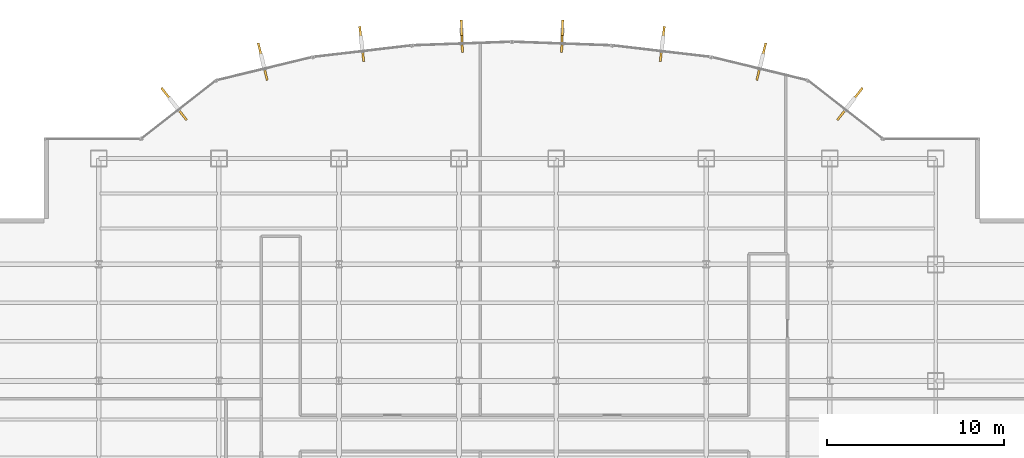
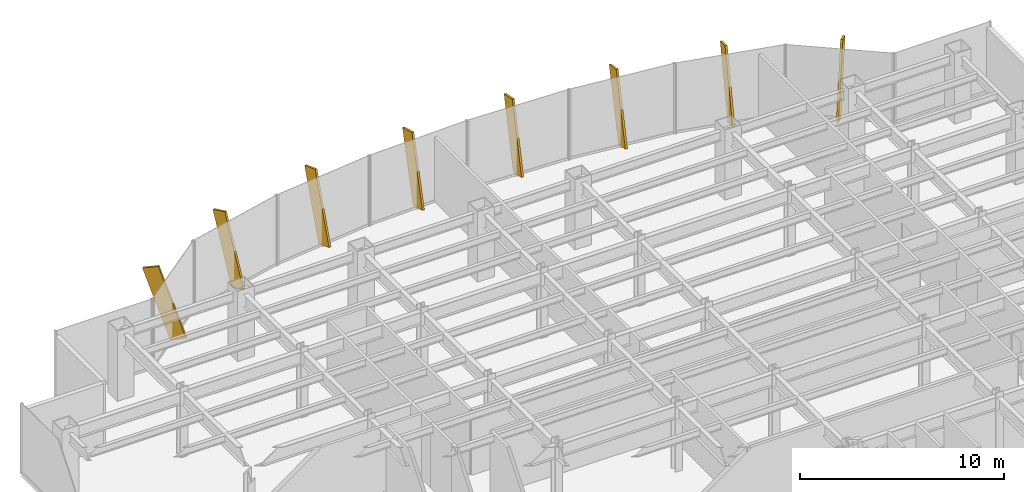
# One storey, part 33 of 35: 8 shading devices.
"""IFC4 building model written with IfcOpenShell, lengths in metres."""

import ifcopenshell
import ifcopenshell.guid

model = None  # the IFC model being written
_history = None  # IfcOwnerHistory: only IFC2X3 demands one
_inside = {}  # id of a spatial element -> (the spatial element, [elements in it])
_under = {}  # id of a project, library or spatial element -> (it, [spatial elements below it])
_declared = {}  # id of a project -> (the project, [libraries it declares])
_typed = {}  # id of a type object -> (the type object, [elements of that type])
_made_of = {}  # id of a material, layer set ... -> (it, [elements and type objects made of it])


def new_model(schema):
    """Start an empty IFC model of exactly this schema.

    Asked for "IFC4X3", IfcOpenShell would pick the latest addendum, in which some entities
    have other attributes; the version numbers below select the first issue.
    IFC2X3 requires an IfcOwnerHistory on every rooted entity: one is made here for all.
    """
    global model, _history
    if schema == "IFC4X3":
        model = ifcopenshell.file(schema_version=(4, 3, 0, 0))
    else:
        model = ifcopenshell.file(schema=schema)
    _inside.clear()
    _under.clear()
    _declared.clear()
    _typed.clear()
    _made_of.clear()
    _history = None
    if model.schema == "IFC2X3":
        org = make("IfcOrganization", Name="unknown")
        user = make(
            "IfcPersonAndOrganization",
            ThePerson=make("IfcPerson", FamilyName="unknown"),
            TheOrganization=org,
        )
        app = make(
            "IfcApplication",
            ApplicationDeveloper=org,
            Version="unknown",
            ApplicationFullName="unknown",
            ApplicationIdentifier="unknown",
        )
        _history = make(
            "IfcOwnerHistory",
            OwningUser=user,
            OwningApplication=app,
            ChangeAction="ADDED",
            CreationDate=0,
        )
    return model


def make(cls, **values):
    """One entity of the class cls with the attributes given. An attribute that is None is left unset."""
    return model.create_entity(
        cls, **{name: value for name, value in values.items() if value is not None}
    )


def rooted(cls, **values):
    """An entity with a GlobalId (a new one), such as an element, a storey or a relation."""
    return make(cls, GlobalId=ifcopenshell.guid.new(), OwnerHistory=_history, **values)


def si_unit(unit_type, name, prefix=None):
    """IfcSIUnit, for example si_unit("LENGTHUNIT", "METRE", prefix="MILLI")."""
    return make("IfcSIUnit", UnitType=unit_type, Prefix=prefix, Name=name)


def derived_unit(unit_type, elements):
    """IfcDerivedUnit: a product of units, each with its exponent."""
    return make(
        "IfcDerivedUnit",
        Elements=[
            make("IfcDerivedUnitElement", Unit=unit, Exponent=power)
            for unit, power in elements
        ],
        UnitType=unit_type,
    )


def assignment(units):
    """IfcUnitAssignment: the units of a project."""
    return None if units is None else make("IfcUnitAssignment", Units=units)


def point(xyz):
    """IfcCartesianPoint."""
    return None if xyz is None else make("IfcCartesianPoint", Coordinates=xyz)


def direction(xyz):
    """IfcDirection."""
    return None if xyz is None else make("IfcDirection", DirectionRatios=xyz)


def frame(location, z_axis=None, x_axis=None):
    """IfcAxis2Placement3D, a coordinate frame: its origin and axes. An axis left out is left unset."""
    return make(
        "IfcAxis2Placement3D",
        Location=point(location),
        Axis=direction(z_axis),
        RefDirection=direction(x_axis),
    )


def frame_2d(location, x_axis=None):
    """IfcAxis2Placement2D, a coordinate frame in the plane: its origin and x axis."""
    return make(
        "IfcAxis2Placement2D", Location=point(location), RefDirection=direction(x_axis)
    )


def origin():
    """The frame at (0, 0, 0) with its axes left unset."""
    return frame((0.0, 0.0, 0.0))


def origin_2d():
    """The frame at (0, 0) in the plane with its x axis left unset."""
    return frame_2d((0.0, 0.0))


def place(relative_to, where):
    """IfcLocalPlacement: puts the frame where relative to a parent placement (None: the world)."""
    return make(
        "IfcLocalPlacement", PlacementRelTo=relative_to, RelativePlacement=where
    )


def context(
    kind, dimensions, precision=None, world=None, true_north=None, identifier=None
):
    """IfcGeometricRepresentationContext, for example the 3D "Model" context."""
    return make(
        "IfcGeometricRepresentationContext",
        ContextIdentifier=identifier,
        ContextType=kind,
        CoordinateSpaceDimension=dimensions,
        Precision=precision,
        WorldCoordinateSystem=world,
        TrueNorth=true_north,
    )


def subcontext(parent, identifier, kind, view, scale=None):
    """IfcGeometricRepresentationSubContext, for example "Body" below "Model"."""
    return make(
        "IfcGeometricRepresentationSubContext",
        ContextIdentifier=identifier,
        ContextType=kind,
        ParentContext=parent,
        TargetScale=scale,
        TargetView=view,
    )


def project(units=None, contexts=None):
    """IfcProject with its units and contexts."""
    return rooted(
        "IfcProject",
        Name="project",
        RepresentationContexts=contexts,
        UnitsInContext=assignment(units),
    )


def spatial(cls, under=None, at=None, **own):
    """A site, building, storey or space (cls), placed at a placement, below another one or the project."""
    s = rooted(cls, ObjectPlacement=at, **own)
    if under is not None:
        _under.setdefault(under.id(), (under, []))[1].append(s)
    return s


def profile(cls, at=None, kind="AREA", **sizes):
    """A parametric profile (cls). Its sizes go by their IFC names, for example OverallWidth=200.0."""
    return make(cls, ProfileType=kind, Position=at, **sizes)


def rectangle(**sizes):
    """IfcRectangleProfileDef."""
    return profile("IfcRectangleProfileDef", **sizes)


def extrude(swept, where, along, depth):
    """IfcExtrudedAreaSolid: the profile swept, set in the frame where, extruded along a direction by depth."""
    return make(
        "IfcExtrudedAreaSolid",
        SweptArea=swept,
        Position=where,
        ExtrudedDirection=direction(along),
        Depth=depth,
    )


def shape(context_of_items, identifier, shape_type, items):
    """IfcShapeRepresentation: the items that make up one representation, for example the "Body"."""
    return make(
        "IfcShapeRepresentation",
        ContextOfItems=context_of_items,
        RepresentationIdentifier=identifier,
        RepresentationType=shape_type,
        Items=items,
    )


def source(mapping_origin, context_of_items, identifier, shape_type, items):
    """IfcRepresentationMap: a shape defined once, which mapped items show again and again."""
    return make(
        "IfcRepresentationMap",
        MappingOrigin=mapping_origin,
        MappedRepresentation=shape(context_of_items, identifier, shape_type, items),
    )


def transform(
    local_origin,
    x_axis=None,
    y_axis=None,
    z_axis=None,
    scale=None,
    scale2=None,
    scale3=None,
    uniform=True,
):
    """IfcCartesianTransformationOperator3D, or its non-uniform kind. x_axis, y_axis, z_axis: its Axis1, 2, 3."""
    if uniform:
        return make(
            "IfcCartesianTransformationOperator3D",
            Axis1=direction(x_axis),
            Axis2=direction(y_axis),
            LocalOrigin=point(local_origin),
            Scale=scale,
            Axis3=direction(z_axis),
        )
    return make(
        "IfcCartesianTransformationOperator3DnonUniform",
        Axis1=direction(x_axis),
        Axis2=direction(y_axis),
        LocalOrigin=point(local_origin),
        Scale=scale,
        Axis3=direction(z_axis),
        Scale2=scale2,
        Scale3=scale3,
    )


def mapped(mapping_source, mapping_target):
    """IfcMappedItem: shows the shape of a source again, moved by a transform."""
    return make(
        "IfcMappedItem", MappingSource=mapping_source, MappingTarget=mapping_target
    )


def material(Name=None, Category=None):
    """IfcMaterial."""
    return make("IfcMaterial", Name=Name, Category=Category)


def made_of(thing, what):
    """Note that an element or type object is made of a material, layer set ...; save() writes the relation."""
    if what is not None:
        _made_of.setdefault(what.id(), (what, []))[1].append(thing)
    return thing


def type_object(cls, material=None, **own):
    """A type object (cls), such as IfcWallType, which elements share."""
    return made_of(rooted(cls, **own), material)


def element(
    cls,
    number,
    at=None,
    inside=None,
    cuts=None,
    type_object=None,
    material=None,
    context=None,
    identifier="Body",
    shape_type=None,
    held_by="IfcProductDefinitionShape",
    body=None,
    shapes=None,
    **own,
):
    """One element of the class cls, such as IfcWall. Its Tag is "e" and its number.

    at: its placement. inside: the storey or other place that contains it. cuts: it is an
    opening in that element (IfcRelVoidsElement). A single representation is given by context,
    identifier, shape_type and body (its items); several are given by shapes. held_by: the class
    of the entity that holds the representations. save() writes the other relations.
    """
    e = rooted(cls, Tag="e%d" % number, ObjectPlacement=at, **own)
    if body is not None:
        shapes = [shape(context, identifier, shape_type, body)]
    if shapes is not None:
        e.Representation = make(held_by, Representations=shapes)
    if inside is not None:
        _inside.setdefault(inside.id(), (inside, []))[1].append(e)
    if cuts is not None:
        rooted(
            "IfcRelVoidsElement", RelatingBuildingElement=cuts, RelatedOpeningElement=e
        )
    if type_object is not None:
        _typed.setdefault(type_object.id(), (type_object, []))[1].append(e)
    return made_of(e, material)


def aggregate(whole, parts):
    """IfcRelAggregates: a whole, such as a stair, and the parts it consists of."""
    return rooted("IfcRelAggregates", RelatingObject=whole, RelatedObjects=parts)


def save(model, path):
    """Write the relations noted so far, then the file.

    IfcRelAggregates (storeys below a building ...), IfcRelContainedInSpatialStructure (elements
    in a storey), IfcRelDefinesByType, IfcRelAssociatesMaterial and IfcRelDeclares: one each for
    every whole, place, type object, material and project.
    """
    for whole, parts in _under.values():
        aggregate(whole, parts)
    for where, things in _inside.values():
        rooted(
            "IfcRelContainedInSpatialStructure",
            RelatedElements=things,
            RelatingStructure=where,
        )
    for kind, things in _typed.values():
        rooted("IfcRelDefinesByType", RelatedObjects=things, RelatingType=kind)
    for what, things in _made_of.values():
        rooted("IfcRelAssociatesMaterial", RelatedObjects=things, RelatingMaterial=what)
    for by, libraries in _declared.values():
        rooted("IfcRelDeclares", RelatingContext=by, RelatedDefinitions=libraries)
    model.write(path)


model = new_model("IFC4")

# Units and contexts
model_context = context("Model", 3, precision=1e-05, world=origin(), true_north=direction((0.0, 1.0)))
body_context = subcontext(model_context, "Body", "Model", "MODEL_VIEW")
ifc_project = project(units=[si_unit("LENGTHUNIT", "METRE"), si_unit("AREAUNIT", "SQUARE_METRE"), si_unit("VOLUMEUNIT", "CUBIC_METRE"), si_unit("PLANEANGLEUNIT", "RADIAN"), si_unit("MASSUNIT", "GRAM", prefix="KILO"), derived_unit("THERMALTRANSMITTANCEUNIT", [(si_unit("POWERUNIT", "WATT"), 1), (si_unit("LENGTHUNIT", "METRE"), -2), (si_unit("THERMODYNAMICTEMPERATUREUNIT", "KELVIN"), -1)])], contexts=[model_context])

# Site, building, storey
site_placement = place(None, origin())
site = spatial("IfcSite", under=ifc_project, at=site_placement, CompositionType="ELEMENT")
building_placement = place(site_placement, origin())
building = spatial("IfcBuilding", under=site, at=building_placement, Name="Skarnbrae Concourse Arena and Tower", CompositionType="ELEMENT")
storey_placement = place(building_placement, frame((0.0, 0.0, 79.949951171875)))
storey = spatial("IfcBuildingStorey", under=building, at=storey_placement, Name="L19", CompositionType="ELEMENT", Elevation=79.949951171875)

# Shading devices
ifc_material = material(Name="Bronze anodised aluminium 6063-T6", Category="aluminium")
shading_device_type = type_object("IfcShadingDeviceType", Name="SHD-BRONZE-FIN-900", PredefinedType="USERDEFINED", material=ifc_material)
shared_shape = source(origin(), body_context, "Body", "SweptSolid", [
    extrude(rectangle(XDim=0.1201171875, YDim=0.89990234375, at=origin_2d()), origin(), (0.0, 0.0, 1.0), 4.199951171875),
])
for number, where, z_axis, x_axis, name in (
    (1, (49.68798828125, 42.90673828125, 0.133544921875), (0.216070241151, 0.276229215195, 0.936488692704), (0.787656027369, -0.616115234797, 0.0), "L19 Outward-leaning bronze shading fin 08"),
    (2, (44.962890625, 45.242431640625, 0.106689453125), (0.073933727823, 0.305675430725, 0.949260941439), (0.971973311258, -0.235091221021, 0.0), "L19 Outward-leaning bronze shading fin 09"),
    (3, (39.445556640625, 46.3173828125, 0.07958984375), (0.031636196031, 0.270774248001, 0.962122891174), (0.993243759876, -0.116046686587, 0.0), "L19 Outward-leaning bronze shading fin 10"),
    (4, (33.82470703125, 46.8359375, 0.056396484375), (0.00824514504, 0.229561997551, 0.973259115993), (0.999355613141, -0.035893710914, 0.0), "L19 Outward-leaning bronze shading fin 11"),
    (5, (28.17529296875, 46.8359375, 0.056396484375), (-0.00824514504, 0.229561997551, 0.973259115993), (0.999355613141, 0.035893710914, 0.0), "L19 Outward-leaning bronze shading fin 12"),
    (6, (22.554443359375, 46.3173828125, 0.07958984375), (-0.031636196031, 0.270774248001, 0.962122891174), (0.993243759876, 0.116046686587, 0.0), "L19 Outward-leaning bronze shading fin 13"),
    (7, (17.037109375, 45.242431640625, 0.106689453125), (-0.073933727823, 0.305675430725, 0.949260941439), (0.971973311258, 0.235091221021, 0.0), "L19 Outward-leaning bronze shading fin 14"),
    (8, (12.31201171875, 42.90673828125, 0.133544921875), (-0.216070241151, 0.276229215195, 0.936488692704), (0.787656027369, 0.616115234797, 0.0), "L19 Outward-leaning bronze shading fin 15"),
):
    element("IfcShadingDevice", number, at=place(storey_placement, frame(where, z_axis=z_axis, x_axis=x_axis)), inside=storey, type_object=shading_device_type, Name=name, ObjectType="FIN", PredefinedType="USERDEFINED", context=body_context, shape_type="MappedRepresentation", body=[
        mapped(shared_shape, transform((0.0, 0.0, 0.0))),
    ])

save(model, "model.ifc")
